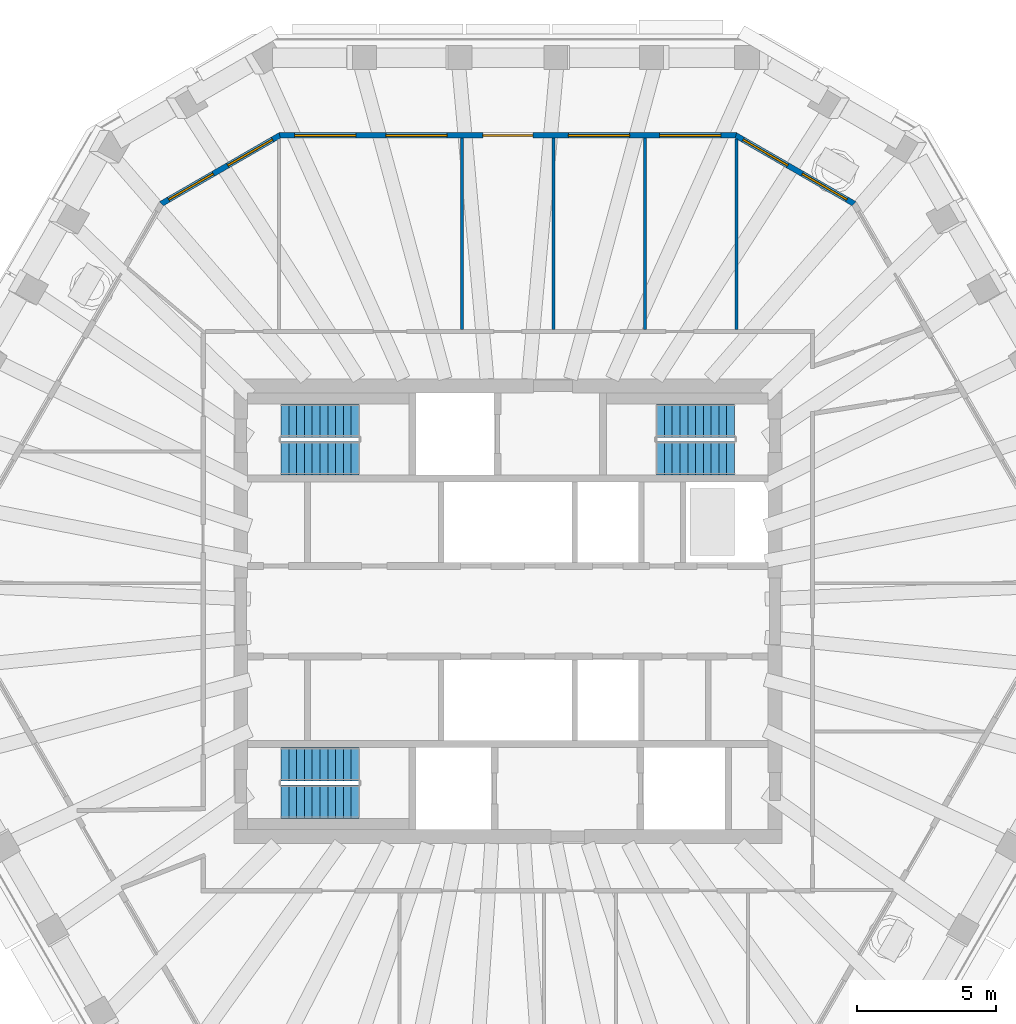
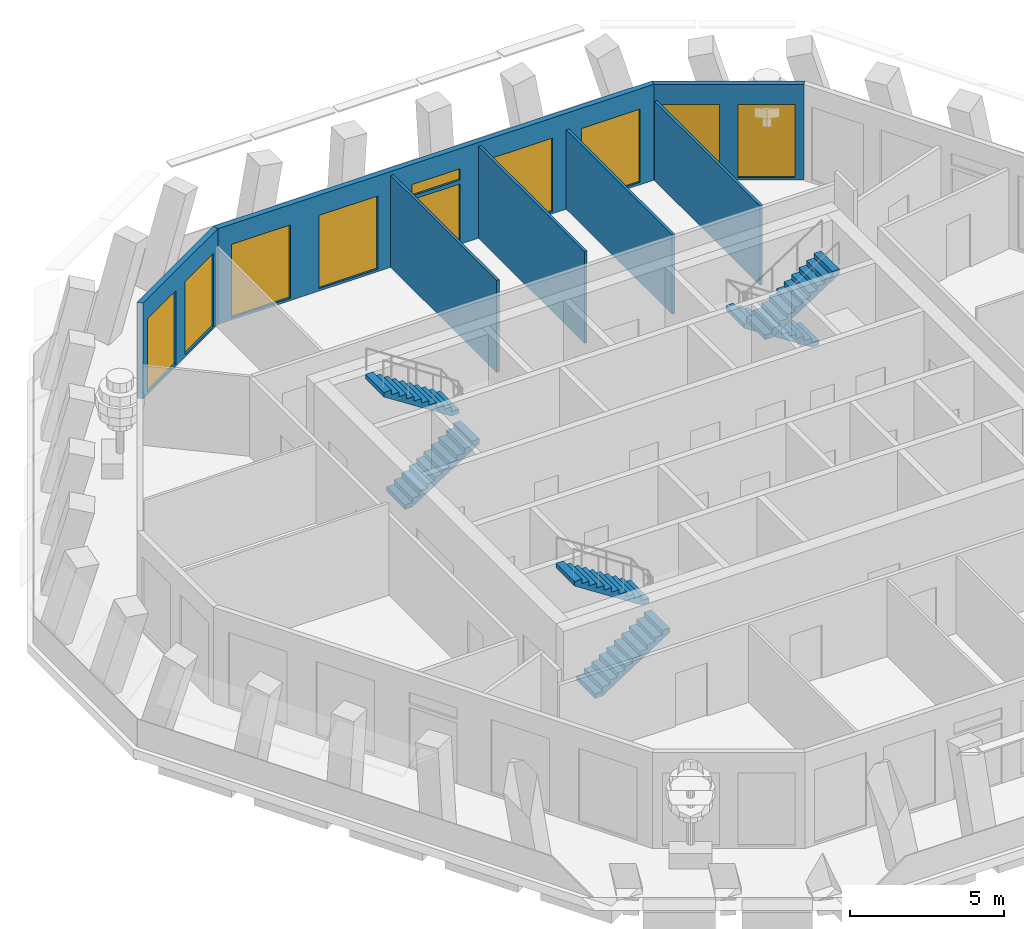
# One storey, part 7 of 11: 9 windows, 7 walls, 6 stair flights, 1 door, 10 openings, 3 elements without a shape of their own.
"""IFC4 building model written with IfcOpenShell, lengths in metres."""

import ifcopenshell
import ifcopenshell.guid

model = None  # the IFC model being written
_history = None  # IfcOwnerHistory: only IFC2X3 demands one
_inside = {}  # id of a spatial element -> (the spatial element, [elements in it])
_under = {}  # id of a project, library or spatial element -> (it, [spatial elements below it])
_declared = {}  # id of a project -> (the project, [libraries it declares])
_typed = {}  # id of a type object -> (the type object, [elements of that type])
_made_of = {}  # id of a material, layer set ... -> (it, [elements and type objects made of it])


def new_model(schema):
    """Start an empty IFC model of exactly this schema.

    Asked for "IFC4X3", IfcOpenShell would pick the latest addendum, in which some entities
    have other attributes; the version numbers below select the first issue.
    IFC2X3 requires an IfcOwnerHistory on every rooted entity: one is made here for all.
    """
    global model, _history
    if schema == "IFC4X3":
        model = ifcopenshell.file(schema_version=(4, 3, 0, 0))
    else:
        model = ifcopenshell.file(schema=schema)
    _inside.clear()
    _under.clear()
    _declared.clear()
    _typed.clear()
    _made_of.clear()
    _history = None
    if model.schema == "IFC2X3":
        org = make("IfcOrganization", Name="unknown")
        user = make(
            "IfcPersonAndOrganization",
            ThePerson=make("IfcPerson", FamilyName="unknown"),
            TheOrganization=org,
        )
        app = make(
            "IfcApplication",
            ApplicationDeveloper=org,
            Version="unknown",
            ApplicationFullName="unknown",
            ApplicationIdentifier="unknown",
        )
        _history = make(
            "IfcOwnerHistory",
            OwningUser=user,
            OwningApplication=app,
            ChangeAction="ADDED",
            CreationDate=0,
        )
    return model


def make(cls, **values):
    """One entity of the class cls with the attributes given. An attribute that is None is left unset."""
    return model.create_entity(
        cls, **{name: value for name, value in values.items() if value is not None}
    )


def rooted(cls, **values):
    """An entity with a GlobalId (a new one), such as an element, a storey or a relation."""
    return make(cls, GlobalId=ifcopenshell.guid.new(), OwnerHistory=_history, **values)


def si_unit(unit_type, name, prefix=None):
    """IfcSIUnit, for example si_unit("LENGTHUNIT", "METRE", prefix="MILLI")."""
    return make("IfcSIUnit", UnitType=unit_type, Prefix=prefix, Name=name)


def assignment(units):
    """IfcUnitAssignment: the units of a project."""
    return None if units is None else make("IfcUnitAssignment", Units=units)


def point(xyz):
    """IfcCartesianPoint."""
    return None if xyz is None else make("IfcCartesianPoint", Coordinates=xyz)


def direction(xyz):
    """IfcDirection."""
    return None if xyz is None else make("IfcDirection", DirectionRatios=xyz)


def frame(location, z_axis=None, x_axis=None):
    """IfcAxis2Placement3D, a coordinate frame: its origin and axes. An axis left out is left unset."""
    return make(
        "IfcAxis2Placement3D",
        Location=point(location),
        Axis=direction(z_axis),
        RefDirection=direction(x_axis),
    )


def frame_2d(location, x_axis=None):
    """IfcAxis2Placement2D, a coordinate frame in the plane: its origin and x axis."""
    return make(
        "IfcAxis2Placement2D", Location=point(location), RefDirection=direction(x_axis)
    )


def origin():
    """The frame at (0, 0, 0) with its axes left unset."""
    return frame((0.0, 0.0, 0.0))


def place(relative_to, where):
    """IfcLocalPlacement: puts the frame where relative to a parent placement (None: the world)."""
    return make(
        "IfcLocalPlacement", PlacementRelTo=relative_to, RelativePlacement=where
    )


def context(
    kind, dimensions, precision=None, world=None, true_north=None, identifier=None
):
    """IfcGeometricRepresentationContext, for example the 3D "Model" context."""
    return make(
        "IfcGeometricRepresentationContext",
        ContextIdentifier=identifier,
        ContextType=kind,
        CoordinateSpaceDimension=dimensions,
        Precision=precision,
        WorldCoordinateSystem=world,
        TrueNorth=true_north,
    )


def subcontext(parent, identifier, kind, view, scale=None):
    """IfcGeometricRepresentationSubContext, for example "Body" below "Model"."""
    return make(
        "IfcGeometricRepresentationSubContext",
        ContextIdentifier=identifier,
        ContextType=kind,
        ParentContext=parent,
        TargetScale=scale,
        TargetView=view,
    )


def project(units=None, contexts=None):
    """IfcProject with its units and contexts."""
    return rooted(
        "IfcProject",
        Name="project",
        RepresentationContexts=contexts,
        UnitsInContext=assignment(units),
    )


def spatial(cls, under=None, at=None, **own):
    """A site, building, storey or space (cls), placed at a placement, below another one or the project."""
    s = rooted(cls, ObjectPlacement=at, **own)
    if under is not None:
        _under.setdefault(under.id(), (under, []))[1].append(s)
    return s


def polyline(points):
    """IfcPolyline through the points."""
    return make("IfcPolyline", Points=[point(p) for p in points])


def profile(cls, at=None, kind="AREA", **sizes):
    """A parametric profile (cls). Its sizes go by their IFC names, for example OverallWidth=200.0."""
    return make(cls, ProfileType=kind, Position=at, **sizes)


def rectangle(**sizes):
    """IfcRectangleProfileDef."""
    return profile("IfcRectangleProfileDef", **sizes)


def outline(outer, holes=None, kind="AREA"):
    """IfcArbitraryClosedProfileDef: a profile drawn as a closed curve; with holes, ...WithVoids."""
    if holes is None:
        return make("IfcArbitraryClosedProfileDef", ProfileType=kind, OuterCurve=outer)
    return make(
        "IfcArbitraryProfileDefWithVoids",
        ProfileType=kind,
        OuterCurve=outer,
        InnerCurves=holes,
    )


def extrude(swept, where, along, depth):
    """IfcExtrudedAreaSolid: the profile swept, set in the frame where, extruded along a direction by depth."""
    return make(
        "IfcExtrudedAreaSolid",
        SweptArea=swept,
        Position=where,
        ExtrudedDirection=direction(along),
        Depth=depth,
    )


def shape(context_of_items, identifier, shape_type, items):
    """IfcShapeRepresentation: the items that make up one representation, for example the "Body"."""
    return make(
        "IfcShapeRepresentation",
        ContextOfItems=context_of_items,
        RepresentationIdentifier=identifier,
        RepresentationType=shape_type,
        Items=items,
    )


def material(Name=None, Category=None):
    """IfcMaterial."""
    return make("IfcMaterial", Name=Name, Category=Category)


def layer(
    of_material, thickness, ventilated=None, Name=None, Category=None, Priority=None
):
    """IfcMaterialLayer: one layer of a wall or slab, of a material (None: an air gap)."""
    return make(
        "IfcMaterialLayer",
        Material=of_material,
        LayerThickness=thickness,
        IsVentilated=ventilated,
        Name=Name,
        Category=Category,
        Priority=Priority,
    )


def layer_set(layers, Name=None):
    """IfcMaterialLayerSet."""
    return make("IfcMaterialLayerSet", MaterialLayers=layers, LayerSetName=Name)


def made_of(thing, what):
    """Note that an element or type object is made of a material, layer set ...; save() writes the relation."""
    if what is not None:
        _made_of.setdefault(what.id(), (what, []))[1].append(thing)
    return thing


def type_object(cls, material=None, **own):
    """A type object (cls), such as IfcWallType, which elements share."""
    return made_of(rooted(cls, **own), material)


def element(
    cls,
    number,
    at=None,
    inside=None,
    cuts=None,
    type_object=None,
    material=None,
    context=None,
    identifier="Body",
    shape_type=None,
    held_by="IfcProductDefinitionShape",
    body=None,
    shapes=None,
    **own,
):
    """One element of the class cls, such as IfcWall. Its Tag is "e" and its number.

    at: its placement. inside: the storey or other place that contains it. cuts: it is an
    opening in that element (IfcRelVoidsElement). A single representation is given by context,
    identifier, shape_type and body (its items); several are given by shapes. held_by: the class
    of the entity that holds the representations. save() writes the other relations.
    """
    e = rooted(cls, Tag="e%d" % number, ObjectPlacement=at, **own)
    if body is not None:
        shapes = [shape(context, identifier, shape_type, body)]
    if shapes is not None:
        e.Representation = make(held_by, Representations=shapes)
    if inside is not None:
        _inside.setdefault(inside.id(), (inside, []))[1].append(e)
    if cuts is not None:
        rooted(
            "IfcRelVoidsElement", RelatingBuildingElement=cuts, RelatedOpeningElement=e
        )
    if type_object is not None:
        _typed.setdefault(type_object.id(), (type_object, []))[1].append(e)
    return made_of(e, material)


def fill(opening, filler):
    """IfcRelFillsElement: the door or window that sits in an opening."""
    return rooted(
        "IfcRelFillsElement",
        RelatingOpeningElement=opening,
        RelatedBuildingElement=filler,
    )


def aggregate(whole, parts):
    """IfcRelAggregates: a whole, such as a stair, and the parts it consists of."""
    return rooted("IfcRelAggregates", RelatingObject=whole, RelatedObjects=parts)


def save(model, path):
    """Write the relations noted so far, then the file.

    IfcRelAggregates (storeys below a building ...), IfcRelContainedInSpatialStructure (elements
    in a storey), IfcRelDefinesByType, IfcRelAssociatesMaterial and IfcRelDeclares: one each for
    every whole, place, type object, material and project.
    """
    for whole, parts in _under.values():
        aggregate(whole, parts)
    for where, things in _inside.values():
        rooted(
            "IfcRelContainedInSpatialStructure",
            RelatedElements=things,
            RelatingStructure=where,
        )
    for kind, things in _typed.values():
        rooted("IfcRelDefinesByType", RelatedObjects=things, RelatingType=kind)
    for what, things in _made_of.values():
        rooted("IfcRelAssociatesMaterial", RelatedObjects=things, RelatingMaterial=what)
    for by, libraries in _declared.values():
        rooted("IfcRelDeclares", RelatingContext=by, RelatedDefinitions=libraries)
    model.write(path)


model = new_model("IFC4")

# Units and contexts
model_context = context("Model", 3, precision=1e-05, world=origin(), true_north=direction((0.0, 1.0)))
body_context = subcontext(model_context, "Body", "Model", "MODEL_VIEW")
ifc_project = project(units=[si_unit("LENGTHUNIT", "METRE"), si_unit("AREAUNIT", "SQUARE_METRE"), si_unit("VOLUMEUNIT", "CUBIC_METRE"), si_unit("PLANEANGLEUNIT", "RADIAN"), si_unit("MASSUNIT", "GRAM", prefix="KILO")], contexts=[model_context])

# Site, building, storey
site_placement = place(None, origin())
site = spatial("IfcSite", under=ifc_project, at=site_placement, CompositionType="ELEMENT")
building_placement = place(site_placement, origin())
building = spatial("IfcBuilding", under=site, at=building_placement, Name="Frailejon Research Tower", CompositionType="ELEMENT")
storey_placement = place(building_placement, frame((0.0, 0.0, 340.60009765625)))
storey = spatial("IfcBuildingStorey", under=building, at=storey_placement, Name="L76", CompositionType="ELEMENT", Elevation=340.60009765625)

# Walls
ifc_material_1 = material(Name="Gypsum board and masonry partition", Category="masonry")
ifc_layer_1 = layer(ifc_material_1, 0.10009765625)
ifc_layer_set_1 = layer_set([ifc_layer_1], Name="Partition, gypsum on steel studs 100")
wall_type_1 = type_object("IfcWallType", Name="Partition, gypsum on steel studs 100", PredefinedType="PARTITIONING", material=ifc_layer_set_1)
wall_1_placement = place(storey_placement, frame((8.22509765625, 10.125, 0.0), z_axis=(0.0, 0.0, 1.0), x_axis=(0.0, 1.0, 0.0)))
element("IfcWall", 1, at=wall_1_placement, inside=storey, type_object=wall_type_1, Name="T:IW:L76:013", PredefinedType="PARTITIONING", context=body_context, shape_type="SweptSolid", body=[
    extrude(rectangle(XDim=6.843994140625, YDim=0.10009765625, at=frame_2d((3.421875, 0.0))), origin(), (0.0, 0.0, 1.0), 3.14990234375),
])
wall_2_placement = place(storey_placement, frame((4.93505859375, 10.125, 0.0), z_axis=(0.0, 0.0, 1.0), x_axis=(0.0, 1.0, 0.0)))
element("IfcWall", 2, at=wall_2_placement, inside=storey, type_object=wall_type_1, Name="T:IW:L76:014", PredefinedType="PARTITIONING", context=body_context, shape_type="SweptSolid", body=[
    extrude(rectangle(XDim=6.875, YDim=0.10009765625, at=frame_2d((3.4375, 0.0))), origin(), (0.0, 0.0, 1.0), 3.14990234375),
])
for number, where, z_axis, x_axis, name in (
    (3, (1.64501953125, 10.125, 0.0), (0.0, 0.0, 1.0), (0.0, 1.0, 0.0), "T:IW:L76:015"),
    (4, (-1.64501953125, 10.125, 0.0), (0.0, 0.0, 1.0), (0.0, 1.0, 0.0), "T:IW:L76:016"),
):
    element("IfcWall", number, at=place(storey_placement, frame(where, z_axis=z_axis, x_axis=x_axis)), inside=storey, type_object=wall_type_1, Name=name, PredefinedType="PARTITIONING", context=body_context, shape_type="SweptSolid", body=[
        extrude(rectangle(XDim=6.875, YDim=0.10009765625, at=frame_2d((3.4375, 0.0))), origin(), (0.0, 0.0, 1.0), 3.64990234375),
    ])

# Wall, openings, windows
ifc_material_2 = material(Name="Concrete C40/50 precast window wall panel", Category="concrete")
ifc_layer_2 = layer(ifc_material_2, 0.199951171875)
ifc_layer_set_2 = layer_set([ifc_layer_2], Name="Window wall 200")
wall_type_2 = type_object("IfcWallType", Name="Window wall 200", PredefinedType="SOLIDWALL", material=ifc_layer_set_2)
wall_3_placement = place(storey_placement, frame((12.451904296875, 14.644287109375, 0.0), z_axis=(0.0, 0.0, 1.0), x_axis=(-0.866029143232, 0.499993523031, 0.0)))
wall_3 = element("IfcWall", 5, at=wall_3_placement, inside=storey, type_object=wall_type_2, Name="Exterior wall L76", PredefinedType="SOLIDWALL", context=body_context, shape_type="SweptSolid", body=[
    extrude(outline(polyline([(-0.02685546875, -0.10009765625), (1.21435546875, -0.10009765625), (2.455810546875, -0.10009765625), (3.697265625, -0.10009765625), (4.9384765625, -0.10009765625), (4.884765625, 0.10009765625), (3.67041015625, 0.10009765625), (2.455810546875, 0.10009765625), (1.2412109375, 0.10009765625), (0.02685546875, 0.10009765625), (-0.02685546875, -0.10009765625)])), origin(), (0.0, 0.0, 1.0), 3.7998046875),
])
opening_1_placement = place(wall_3_placement, frame((0.302978515625, 0.0, 0.10009765625)))
opening_1 = element("IfcOpeningElement", 6, at=opening_1_placement, cuts=wall_3, Name="Opening W26", PredefinedType="OPENING", context=body_context, shape_type="SweptSolid", body=[
    extrude(rectangle(XDim=1.85009765625, YDim=2.89990234375, at=frame_2d((0.925048828125, 1.449951171875))), frame((0.0, 0.10986328125, 0.0), z_axis=(0.0, -1.0, 0.0), x_axis=(1.0, 0.0, 0.0)), (0.0, 0.0, 1.0), 0.219970703125),
])
opening_2_placement = place(wall_3_placement, frame((2.7587890625, 0.0, 0.10009765625)))
opening_2 = element("IfcOpeningElement", 7, at=opening_2_placement, cuts=wall_3, Name="Opening W26", PredefinedType="OPENING", context=body_context, shape_type="SweptSolid", body=[
    extrude(rectangle(XDim=1.85009765625, YDim=2.89990234375, at=frame_2d((0.925048828125, 1.449951171875))), frame((0.0, 0.10986328125, 0.0), z_axis=(0.0, -1.0, 0.0), x_axis=(1.0, 0.0, 0.0)), (0.0, 0.0, 1.0), 0.219970703125),
])
ifc_material_3 = material(Name="Aluminium framed double glazing", Category="aluminium")
window_type_1 = type_object("IfcWindowType", Name="Window 1850x2900", PartitioningType="SINGLE_PANEL", PredefinedType="WINDOW", material=ifc_material_3)
window_1_placement = place(opening_1_placement, origin())
window_1 = element("IfcWindow", 8, at=window_1_placement, inside=storey, type_object=window_type_1, Name="Window L76", OverallHeight=2.89990234375, OverallWidth=1.85009765625, PartitioningType="SINGLE_PANEL", PredefinedType="WINDOW", context=body_context, shape_type="SweptSolid", body=[
    extrude(rectangle(XDim=1.85009765625, YDim=2.89990234375, at=frame_2d((0.925048828125, 1.449951171875))), frame((0.0, 0.030029296875, 0.0), z_axis=(0.0, -1.0, 0.0), x_axis=(1.0, 0.0, 0.0)), (0.0, 0.0, 1.0), 0.06005859375),
])
fill(opening_1, window_1)
window_2_placement = place(opening_2_placement, origin())
window_2 = element("IfcWindow", 9, at=window_2_placement, inside=storey, type_object=window_type_1, Name="Window L76", OverallHeight=2.89990234375, OverallWidth=1.85009765625, PartitioningType="SINGLE_PANEL", PredefinedType="WINDOW", context=body_context, shape_type="SweptSolid", body=[
    extrude(rectangle(XDim=1.85009765625, YDim=2.89990234375, at=frame_2d((0.925048828125, 1.449951171875))), frame((0.0, 0.030029296875, 0.0), z_axis=(0.0, -1.0, 0.0), x_axis=(1.0, 0.0, 0.0)), (0.0, 0.0, 1.0), 0.06005859375),
])
fill(opening_2, window_2)

# Wall, openings, door, windows
wall_4_placement = place(storey_placement, frame((8.1982421875, 17.10009765625, 0.0), z_axis=(0.0, 0.0, 1.0), x_axis=(-1.0, 0.0, 0.0)))
wall_4 = element("IfcWall", 10, at=wall_4_placement, inside=storey, type_object=wall_type_2, Name="Exterior wall L76", PredefinedType="SOLIDWALL", context=body_context, shape_type="SweptSolid", body=[
    extrude(outline(polyline([(-0.02685546875, -0.10009765625), (1.001220703125, -0.10009765625), (2.029296875, -0.10009765625), (3.0576171875, -0.10009765625), (4.085693359375, -0.10009765625), (5.11376953125, -0.10009765625), (6.14208984375, -0.10009765625), (7.170166015625, -0.10009765625), (8.1982421875, -0.10009765625), (9.226318359375, -0.10009765625), (10.25439453125, -0.10009765625), (11.28271484375, -0.10009765625), (12.310791015625, -0.10009765625), (13.3388671875, -0.10009765625), (14.3671875, -0.10009765625), (15.395263671875, -0.10009765625), (16.42333984375, -0.10009765625), (16.36962890625, 0.10009765625), (15.34814453125, 0.10009765625), (14.32666015625, 0.10009765625), (13.305419921875, 0.10009765625), (12.283935546875, 0.10009765625), (11.262451171875, 0.10009765625), (10.2412109375, 0.10009765625), (9.2197265625, 0.10009765625), (8.1982421875, 0.10009765625), (7.1767578125, 0.10009765625), (6.1552734375, 0.10009765625), (5.134033203125, 0.10009765625), (4.112548828125, 0.10009765625), (3.091064453125, 0.10009765625), (2.06982421875, 0.10009765625), (1.04833984375, 0.10009765625), (0.02685546875, 0.10009765625), (-0.02685546875, -0.10009765625)])), origin(), (0.0, 0.0, 1.0), 3.7998046875),
])
opening_3_placement = place(wall_4_placement, frame((0.53955078125, 0.0, 0.10009765625)))
opening_3 = element("IfcOpeningElement", 11, at=opening_3_placement, cuts=wall_4, Name="Opening W28", PredefinedType="OPENING", context=body_context, shape_type="SweptSolid", body=[
    extrude(rectangle(XDim=2.199951171875, YDim=2.89990234375, at=frame_2d((1.10009765625, 1.449951171875))), frame((0.0, 0.10986328125, 0.0), z_axis=(0.0, -1.0, 0.0), x_axis=(1.0, 0.0, 0.0)), (0.0, 0.0, 1.0), 0.219970703125),
])
opening_4_placement = place(wall_4_placement, frame((3.81884765625, 0.0, 0.10009765625)))
opening_4 = element("IfcOpeningElement", 12, at=opening_4_placement, cuts=wall_4, Name="Opening W28", PredefinedType="OPENING", context=body_context, shape_type="SweptSolid", body=[
    extrude(rectangle(XDim=2.199951171875, YDim=2.89990234375, at=frame_2d((1.10009765625, 1.449951171875))), frame((0.0, 0.10986328125, 0.0), z_axis=(0.0, -1.0, 0.0), x_axis=(1.0, 0.0, 0.0)), (0.0, 0.0, 1.0), 0.219970703125),
])
opening_5_placement = place(wall_4_placement, frame((7.298095703125, 0.0, 0.0)))
opening_5 = element("IfcOpeningElement", 13, at=opening_5_placement, cuts=wall_4, Name="Opening LG76-2", PredefinedType="OPENING", context=body_context, shape_type="SweptSolid", body=[
    extrude(rectangle(XDim=1.800048828125, YDim=2.39990234375, at=frame_2d((0.89990234375, 1.199951171875))), frame((0.0, 0.10986328125, 0.0), z_axis=(0.0, -1.0, 0.0), x_axis=(1.0, 0.0, 0.0)), (0.0, 0.0, 1.0), 0.219970703125),
])
opening_6_placement = place(wall_4_placement, frame((7.298095703125, 0.0, 2.550048828125)))
opening_6 = element("IfcOpeningElement", 14, at=opening_6_placement, cuts=wall_4, Name="Opening W1", PredefinedType="OPENING", context=body_context, shape_type="SweptSolid", body=[
    extrude(rectangle(XDim=1.800048828125, YDim=0.449951171875, at=frame_2d((0.89990234375, 0.22509765625))), frame((0.0, 0.10986328125, 0.0), z_axis=(0.0, -1.0, 0.0), x_axis=(1.0, 0.0, 0.0)), (0.0, 0.0, 1.0), 0.219970703125),
])
opening_7_placement = place(wall_4_placement, frame((10.37744140625, 0.0, 0.10009765625)))
opening_7 = element("IfcOpeningElement", 15, at=opening_7_placement, cuts=wall_4, Name="Opening W28", PredefinedType="OPENING", context=body_context, shape_type="SweptSolid", body=[
    extrude(rectangle(XDim=2.199951171875, YDim=2.89990234375, at=frame_2d((1.10009765625, 1.449951171875))), frame((0.0, 0.10986328125, 0.0), z_axis=(0.0, -1.0, 0.0), x_axis=(1.0, 0.0, 0.0)), (0.0, 0.0, 1.0), 0.219970703125),
])
opening_8_placement = place(wall_4_placement, frame((13.65673828125, 0.0, 0.10009765625)))
opening_8 = element("IfcOpeningElement", 16, at=opening_8_placement, cuts=wall_4, Name="Opening W28", PredefinedType="OPENING", context=body_context, shape_type="SweptSolid", body=[
    extrude(rectangle(XDim=2.199951171875, YDim=2.89990234375, at=frame_2d((1.10009765625, 1.449951171875))), frame((0.0, 0.10986328125, 0.0), z_axis=(0.0, -1.0, 0.0), x_axis=(1.0, 0.0, 0.0)), (0.0, 0.0, 1.0), 0.219970703125),
])
ifc_material_4 = material(Name="Aluminium framed glazed door leaf", Category="aluminium")
door_type = type_object("IfcDoorType", Name="Loggia door 1800x2400", OperationType="DOUBLE_DOOR_SINGLE_SWING", PredefinedType="DOOR", material=ifc_material_4)
door_placement = place(opening_5_placement, origin())
door = element("IfcDoor", 17, at=door_placement, inside=storey, type_object=door_type, Name="Door LG76-2", OperationType="DOUBLE_DOOR_SINGLE_SWING", OverallHeight=2.39990234375, OverallWidth=1.800048828125, PredefinedType="DOOR", context=body_context, shape_type="SweptSolid", body=[
    extrude(rectangle(XDim=1.800048828125, YDim=2.39990234375, at=frame_2d((0.89990234375, 1.199951171875))), frame((0.0, 0.02490234375, 0.0), z_axis=(0.0, -1.0, 0.0), x_axis=(1.0, 0.0, 0.0)), (0.0, 0.0, 1.0), 0.050048828125),
])
fill(opening_5, door)
ifc_material_5 = material(Name="Aluminium framed double glazing", Category="aluminium")
window_type_2 = type_object("IfcWindowType", Name="Window 1800x450", PartitioningType="SINGLE_PANEL", PredefinedType="WINDOW", material=ifc_material_5)
window_3_placement = place(opening_6_placement, origin())
window_3 = element("IfcWindow", 18, at=window_3_placement, inside=storey, type_object=window_type_2, Name="Window L76", OverallHeight=0.449951171875, OverallWidth=1.800048828125, PartitioningType="SINGLE_PANEL", PredefinedType="WINDOW", context=body_context, shape_type="SweptSolid", body=[
    extrude(rectangle(XDim=1.800048828125, YDim=0.449951171875, at=frame_2d((0.89990234375, 0.22509765625))), frame((0.0, 0.030029296875, 0.0), z_axis=(0.0, -1.0, 0.0), x_axis=(1.0, 0.0, 0.0)), (0.0, 0.0, 1.0), 0.06005859375),
])
fill(opening_6, window_3)
ifc_material_6 = material(Name="Aluminium framed double glazing", Category="aluminium")
window_type_3 = type_object("IfcWindowType", Name="Window 2200x2900", PartitioningType="SINGLE_PANEL", PredefinedType="WINDOW", material=ifc_material_6)
window_4_placement = place(opening_3_placement, origin())
window_4 = element("IfcWindow", 19, at=window_4_placement, inside=storey, type_object=window_type_3, Name="Window L76", OverallHeight=2.89990234375, OverallWidth=2.199951171875, PartitioningType="SINGLE_PANEL", PredefinedType="WINDOW", context=body_context, shape_type="SweptSolid", body=[
    extrude(rectangle(XDim=2.199951171875, YDim=2.89990234375, at=frame_2d((1.10009765625, 1.449951171875))), frame((0.0, 0.030029296875, 0.0), z_axis=(0.0, -1.0, 0.0), x_axis=(1.0, 0.0, 0.0)), (0.0, 0.0, 1.0), 0.06005859375),
])
fill(opening_3, window_4)
window_5_placement = place(opening_4_placement, origin())
window_5 = element("IfcWindow", 20, at=window_5_placement, inside=storey, type_object=window_type_3, Name="Window L76", OverallHeight=2.89990234375, OverallWidth=2.199951171875, PartitioningType="SINGLE_PANEL", PredefinedType="WINDOW", context=body_context, shape_type="SweptSolid", body=[
    extrude(rectangle(XDim=2.199951171875, YDim=2.89990234375, at=frame_2d((1.10009765625, 1.449951171875))), frame((0.0, 0.030029296875, 0.0), z_axis=(0.0, -1.0, 0.0), x_axis=(1.0, 0.0, 0.0)), (0.0, 0.0, 1.0), 0.06005859375),
])
fill(opening_4, window_5)
window_6_placement = place(opening_7_placement, origin())
window_6 = element("IfcWindow", 21, at=window_6_placement, inside=storey, type_object=window_type_3, Name="Window L76", OverallHeight=2.89990234375, OverallWidth=2.199951171875, PartitioningType="SINGLE_PANEL", PredefinedType="WINDOW", context=body_context, shape_type="SweptSolid", body=[
    extrude(rectangle(XDim=2.199951171875, YDim=2.89990234375, at=frame_2d((1.10009765625, 1.449951171875))), frame((0.0, 0.030029296875, 0.0), z_axis=(0.0, -1.0, 0.0), x_axis=(1.0, 0.0, 0.0)), (0.0, 0.0, 1.0), 0.06005859375),
])
fill(opening_7, window_6)
window_7_placement = place(opening_8_placement, origin())
window_7 = element("IfcWindow", 22, at=window_7_placement, inside=storey, type_object=window_type_3, Name="Window L76", OverallHeight=2.89990234375, OverallWidth=2.199951171875, PartitioningType="SINGLE_PANEL", PredefinedType="WINDOW", context=body_context, shape_type="SweptSolid", body=[
    extrude(rectangle(XDim=2.199951171875, YDim=2.89990234375, at=frame_2d((1.10009765625, 1.449951171875))), frame((0.0, 0.030029296875, 0.0), z_axis=(0.0, -1.0, 0.0), x_axis=(1.0, 0.0, 0.0)), (0.0, 0.0, 1.0), 0.06005859375),
])
fill(opening_8, window_7)

# Wall, openings, windows
wall_5_placement = place(storey_placement, frame((-8.1982421875, 17.10009765625, 0.0), z_axis=(0.0, 0.0, 1.0), x_axis=(-0.866029143232, -0.499993523031, 0.0)))
wall_5 = element("IfcWall", 23, at=wall_5_placement, inside=storey, type_object=wall_type_2, Name="Exterior wall L76", PredefinedType="SOLIDWALL", context=body_context, shape_type="SweptSolid", body=[
    extrude(outline(polyline([(-0.02685546875, -0.10009765625), (1.21435546875, -0.10009765625), (2.455810546875, -0.10009765625), (3.697265625, -0.10009765625), (4.9384765625, -0.10009765625), (4.884765625, 0.10009765625), (3.67041015625, 0.10009765625), (2.455810546875, 0.10009765625), (1.2412109375, 0.10009765625), (0.02685546875, 0.10009765625), (-0.02685546875, -0.10009765625)])), origin(), (0.0, 0.0, 1.0), 3.7998046875),
])
opening_9_placement = place(wall_5_placement, frame((0.302978515625, 0.0, 0.10009765625)))
opening_9 = element("IfcOpeningElement", 24, at=opening_9_placement, cuts=wall_5, Name="Opening W26", PredefinedType="OPENING", context=body_context, shape_type="SweptSolid", body=[
    extrude(rectangle(XDim=1.85009765625, YDim=2.89990234375, at=frame_2d((0.925048828125, 1.449951171875))), frame((0.0, 0.10986328125, 0.0), z_axis=(0.0, -1.0, 0.0), x_axis=(1.0, 0.0, 0.0)), (0.0, 0.0, 1.0), 0.219970703125),
])
opening_10_placement = place(wall_5_placement, frame((2.7587890625, 0.0, 0.10009765625)))
opening_10 = element("IfcOpeningElement", 25, at=opening_10_placement, cuts=wall_5, Name="Opening W26", PredefinedType="OPENING", context=body_context, shape_type="SweptSolid", body=[
    extrude(rectangle(XDim=1.85009765625, YDim=2.89990234375, at=frame_2d((0.925048828125, 1.449951171875))), frame((0.0, 0.10986328125, 0.0), z_axis=(0.0, -1.0, 0.0), x_axis=(1.0, 0.0, 0.0)), (0.0, 0.0, 1.0), 0.219970703125),
])
window_8_placement = place(opening_9_placement, origin())
window_8 = element("IfcWindow", 26, at=window_8_placement, inside=storey, type_object=window_type_1, Name="Window L76", OverallHeight=2.89990234375, OverallWidth=1.85009765625, PartitioningType="SINGLE_PANEL", PredefinedType="WINDOW", context=body_context, shape_type="SweptSolid", body=[
    extrude(rectangle(XDim=1.85009765625, YDim=2.89990234375, at=frame_2d((0.925048828125, 1.449951171875))), frame((0.0, 0.030029296875, 0.0), z_axis=(0.0, -1.0, 0.0), x_axis=(1.0, 0.0, 0.0)), (0.0, 0.0, 1.0), 0.06005859375),
])
fill(opening_9, window_8)
window_9_placement = place(opening_10_placement, origin())
window_9 = element("IfcWindow", 27, at=window_9_placement, inside=storey, type_object=window_type_1, Name="Window L76", OverallHeight=2.89990234375, OverallWidth=1.85009765625, PartitioningType="SINGLE_PANEL", PredefinedType="WINDOW", context=body_context, shape_type="SweptSolid", body=[
    extrude(rectangle(XDim=1.85009765625, YDim=2.89990234375, at=frame_2d((0.925048828125, 1.449951171875))), frame((0.0, 0.030029296875, 0.0), z_axis=(0.0, -1.0, 0.0), x_axis=(1.0, 0.0, 0.0)), (0.0, 0.0, 1.0), 0.06005859375),
])
fill(opening_10, window_9)

# Stair, stair flights
ifc_material_7 = material(Name="Concrete C50/60", Category="concrete")
stair_type = type_object("IfcStairType", Name="Exit stair 22 risers", PredefinedType="HALF_TURN_STAIR", material=ifc_material_7)
stair_1_placement = place(storey_placement, origin())
stair_1 = element("IfcStair", 28, at=stair_1_placement, inside=storey, type_object=stair_type, Name="L76 Exit stair ST1", PredefinedType="HALF_TURN_STAIR")
ifc_material_8 = material(Name="Concrete C50/60", Category="concrete")
ifc_layer_3 = layer(ifc_material_8, 0.14990234375)
ifc_layer_set_3 = layer_set([ifc_layer_3], Name="Stair flight 11 risers")
stair_flight_type = type_object("IfcStairFlightType", Name="Stair flight 11 risers", PredefinedType="STRAIGHT", material=ifc_layer_set_3)
stair_flight_1_placement = place(storey_placement, frame((-8.14990234375, 5.5, 0.0), z_axis=(0.0, 0.0, 1.0), x_axis=(1.0, 0.0, 0.0)))
stair_flight_1 = element("IfcStairFlight", 29, at=stair_flight_1_placement, type_object=stair_flight_type, Name="ST1 flight 1", NumberOfRisers=11, NumberOfTreads=10, PredefinedType="STRAIGHT", RiserHeight=0.181818182, TreadLength=0.28, context=body_context, shape_type="SweptSolid", body=[
    extrude(outline(polyline([(0.0, 0.0), (0.0, 0.181884765625), (0.280029296875, 0.181884765625), (0.280029296875, 0.363525390625), (0.56005859375, 0.363525390625), (0.56005859375, 0.54541015625), (0.840087890625, 0.54541015625), (0.840087890625, 0.727294921875), (1.1201171875, 0.727294921875), (1.1201171875, 0.9091796875), (1.39990234375, 0.9091796875), (1.39990234375, 1.0908203125), (1.679931640625, 1.0908203125), (1.679931640625, 1.272705078125), (1.9599609375, 1.272705078125), (1.9599609375, 1.45458984375), (2.239990234375, 1.45458984375), (2.239990234375, 1.636474609375), (2.52001953125, 1.636474609375), (2.52001953125, 1.818115234375), (2.800048828125, 1.818115234375), (2.800048828125, 2.0), (2.800048828125, 1.639404296875), (0.275146484375, 0.0), (0.0, 0.0)])), frame((0.0, 0.60009765625, 0.0), z_axis=(0.0, -1.0, 0.0), x_axis=(1.0, 0.0, 0.0)), (0.0, 0.0, 1.0), 1.199951171875),
])
stair_flight_2_placement = place(storey_placement, frame((-5.35009765625, 6.85009765625, 2.0), z_axis=(0.0, 0.0, 1.0), x_axis=(-1.0, 0.0, 0.0)))
stair_flight_2 = element("IfcStairFlight", 30, at=stair_flight_2_placement, type_object=stair_flight_type, Name="ST1 flight 2", NumberOfRisers=11, NumberOfTreads=10, PredefinedType="STRAIGHT", RiserHeight=0.181818182, TreadLength=0.28, context=body_context, shape_type="SweptSolid", body=[
    extrude(outline(polyline([(0.0, 0.0), (0.0, 0.181884765625), (0.280029296875, 0.181884765625), (0.280029296875, 0.363525390625), (0.56005859375, 0.363525390625), (0.56005859375, 0.54541015625), (0.840087890625, 0.54541015625), (0.840087890625, 0.727294921875), (1.1201171875, 0.727294921875), (1.1201171875, 0.9091796875), (1.39990234375, 0.9091796875), (1.39990234375, 1.0908203125), (1.679931640625, 1.0908203125), (1.679931640625, 1.272705078125), (1.9599609375, 1.272705078125), (1.9599609375, 1.45458984375), (2.239990234375, 1.45458984375), (2.239990234375, 1.636474609375), (2.52001953125, 1.636474609375), (2.52001953125, 1.818115234375), (2.800048828125, 1.818115234375), (2.800048828125, 2.0), (2.800048828125, 1.639404296875), (0.275146484375, 0.0), (0.0, 0.0)])), frame((0.0, 0.60009765625, 0.0), z_axis=(0.0, -1.0, 0.0), x_axis=(1.0, 0.0, 0.0)), (0.0, 0.0, 1.0), 1.199951171875),
])
aggregate(stair_1, [stair_flight_1, stair_flight_2])

stair_2_placement = place(storey_placement, origin())
stair_2 = element("IfcStair", 31, at=stair_2_placement, inside=storey, type_object=stair_type, Name="L76 Exit stair ST2", PredefinedType="HALF_TURN_STAIR")
stair_flight_3_placement = place(storey_placement, frame((-8.14990234375, -6.85009765625, 0.0), z_axis=(0.0, 0.0, 1.0), x_axis=(1.0, 0.0, 0.0)))
stair_flight_3 = element("IfcStairFlight", 32, at=stair_flight_3_placement, type_object=stair_flight_type, Name="ST2 flight 1", NumberOfRisers=11, NumberOfTreads=10, PredefinedType="STRAIGHT", RiserHeight=0.181818182, TreadLength=0.28, context=body_context, shape_type="SweptSolid", body=[
    extrude(outline(polyline([(0.0, 0.0), (0.0, 0.181884765625), (0.280029296875, 0.181884765625), (0.280029296875, 0.363525390625), (0.56005859375, 0.363525390625), (0.56005859375, 0.54541015625), (0.840087890625, 0.54541015625), (0.840087890625, 0.727294921875), (1.1201171875, 0.727294921875), (1.1201171875, 0.9091796875), (1.39990234375, 0.9091796875), (1.39990234375, 1.0908203125), (1.679931640625, 1.0908203125), (1.679931640625, 1.272705078125), (1.9599609375, 1.272705078125), (1.9599609375, 1.45458984375), (2.239990234375, 1.45458984375), (2.239990234375, 1.636474609375), (2.52001953125, 1.636474609375), (2.52001953125, 1.818115234375), (2.800048828125, 1.818115234375), (2.800048828125, 2.0), (2.800048828125, 1.639404296875), (0.275146484375, 0.0), (0.0, 0.0)])), frame((0.0, 0.60009765625, 0.0), z_axis=(0.0, -1.0, 0.0), x_axis=(1.0, 0.0, 0.0)), (0.0, 0.0, 1.0), 1.199951171875),
])
stair_flight_4_placement = place(storey_placement, frame((-5.35009765625, -5.5, 2.0), z_axis=(0.0, 0.0, 1.0), x_axis=(-1.0, 0.0, 0.0)))
stair_flight_4 = element("IfcStairFlight", 33, at=stair_flight_4_placement, type_object=stair_flight_type, Name="ST2 flight 2", NumberOfRisers=11, NumberOfTreads=10, PredefinedType="STRAIGHT", RiserHeight=0.181818182, TreadLength=0.28, context=body_context, shape_type="SweptSolid", body=[
    extrude(outline(polyline([(0.0, 0.0), (0.0, 0.181884765625), (0.280029296875, 0.181884765625), (0.280029296875, 0.363525390625), (0.56005859375, 0.363525390625), (0.56005859375, 0.54541015625), (0.840087890625, 0.54541015625), (0.840087890625, 0.727294921875), (1.1201171875, 0.727294921875), (1.1201171875, 0.9091796875), (1.39990234375, 0.9091796875), (1.39990234375, 1.0908203125), (1.679931640625, 1.0908203125), (1.679931640625, 1.272705078125), (1.9599609375, 1.272705078125), (1.9599609375, 1.45458984375), (2.239990234375, 1.45458984375), (2.239990234375, 1.636474609375), (2.52001953125, 1.636474609375), (2.52001953125, 1.818115234375), (2.800048828125, 1.818115234375), (2.800048828125, 2.0), (2.800048828125, 1.639404296875), (0.275146484375, 0.0), (0.0, 0.0)])), frame((0.0, 0.60009765625, 0.0), z_axis=(0.0, -1.0, 0.0), x_axis=(1.0, 0.0, 0.0)), (0.0, 0.0, 1.0), 1.199951171875),
])
aggregate(stair_2, [stair_flight_3, stair_flight_4])

stair_3_placement = place(storey_placement, origin())
stair_3 = element("IfcStair", 34, at=stair_3_placement, inside=storey, type_object=stair_type, Name="L76 Exit stair ST3", PredefinedType="HALF_TURN_STAIR")
stair_flight_5_placement = place(storey_placement, frame((8.14990234375, 6.85009765625, 0.0), z_axis=(0.0, 0.0, 1.0), x_axis=(-1.0, 0.0, 0.0)))
stair_flight_5 = element("IfcStairFlight", 35, at=stair_flight_5_placement, type_object=stair_flight_type, Name="ST3 flight 1", NumberOfRisers=11, NumberOfTreads=10, PredefinedType="STRAIGHT", RiserHeight=0.181818182, TreadLength=0.28, context=body_context, shape_type="SweptSolid", body=[
    extrude(outline(polyline([(0.0, 0.0), (0.0, 0.181884765625), (0.280029296875, 0.181884765625), (0.280029296875, 0.363525390625), (0.56005859375, 0.363525390625), (0.56005859375, 0.54541015625), (0.840087890625, 0.54541015625), (0.840087890625, 0.727294921875), (1.1201171875, 0.727294921875), (1.1201171875, 0.9091796875), (1.39990234375, 0.9091796875), (1.39990234375, 1.0908203125), (1.679931640625, 1.0908203125), (1.679931640625, 1.272705078125), (1.9599609375, 1.272705078125), (1.9599609375, 1.45458984375), (2.239990234375, 1.45458984375), (2.239990234375, 1.636474609375), (2.52001953125, 1.636474609375), (2.52001953125, 1.818115234375), (2.800048828125, 1.818115234375), (2.800048828125, 2.0), (2.800048828125, 1.639404296875), (0.275146484375, 0.0), (0.0, 0.0)])), frame((0.0, 0.60009765625, 0.0), z_axis=(0.0, -1.0, 0.0), x_axis=(1.0, 0.0, 0.0)), (0.0, 0.0, 1.0), 1.199951171875),
])
stair_flight_6_placement = place(storey_placement, frame((5.35009765625, 5.5, 2.0), z_axis=(0.0, 0.0, 1.0), x_axis=(1.0, 0.0, 0.0)))
stair_flight_6 = element("IfcStairFlight", 36, at=stair_flight_6_placement, type_object=stair_flight_type, Name="ST3 flight 2", NumberOfRisers=11, NumberOfTreads=10, PredefinedType="STRAIGHT", RiserHeight=0.181818182, TreadLength=0.28, context=body_context, shape_type="SweptSolid", body=[
    extrude(outline(polyline([(0.0, 0.0), (0.0, 0.181884765625), (0.280029296875, 0.181884765625), (0.280029296875, 0.363525390625), (0.56005859375, 0.363525390625), (0.56005859375, 0.54541015625), (0.840087890625, 0.54541015625), (0.840087890625, 0.727294921875), (1.1201171875, 0.727294921875), (1.1201171875, 0.9091796875), (1.39990234375, 0.9091796875), (1.39990234375, 1.0908203125), (1.679931640625, 1.0908203125), (1.679931640625, 1.272705078125), (1.9599609375, 1.272705078125), (1.9599609375, 1.45458984375), (2.239990234375, 1.45458984375), (2.239990234375, 1.636474609375), (2.52001953125, 1.636474609375), (2.52001953125, 1.818115234375), (2.800048828125, 1.818115234375), (2.800048828125, 2.0), (2.800048828125, 1.639404296875), (0.275146484375, 0.0), (0.0, 0.0)])), frame((0.0, 0.60009765625, 0.0), z_axis=(0.0, -1.0, 0.0), x_axis=(1.0, 0.0, 0.0)), (0.0, 0.0, 1.0), 1.199951171875),
])
aggregate(stair_3, [stair_flight_5, stair_flight_6])

save(model, "model.ifc")
